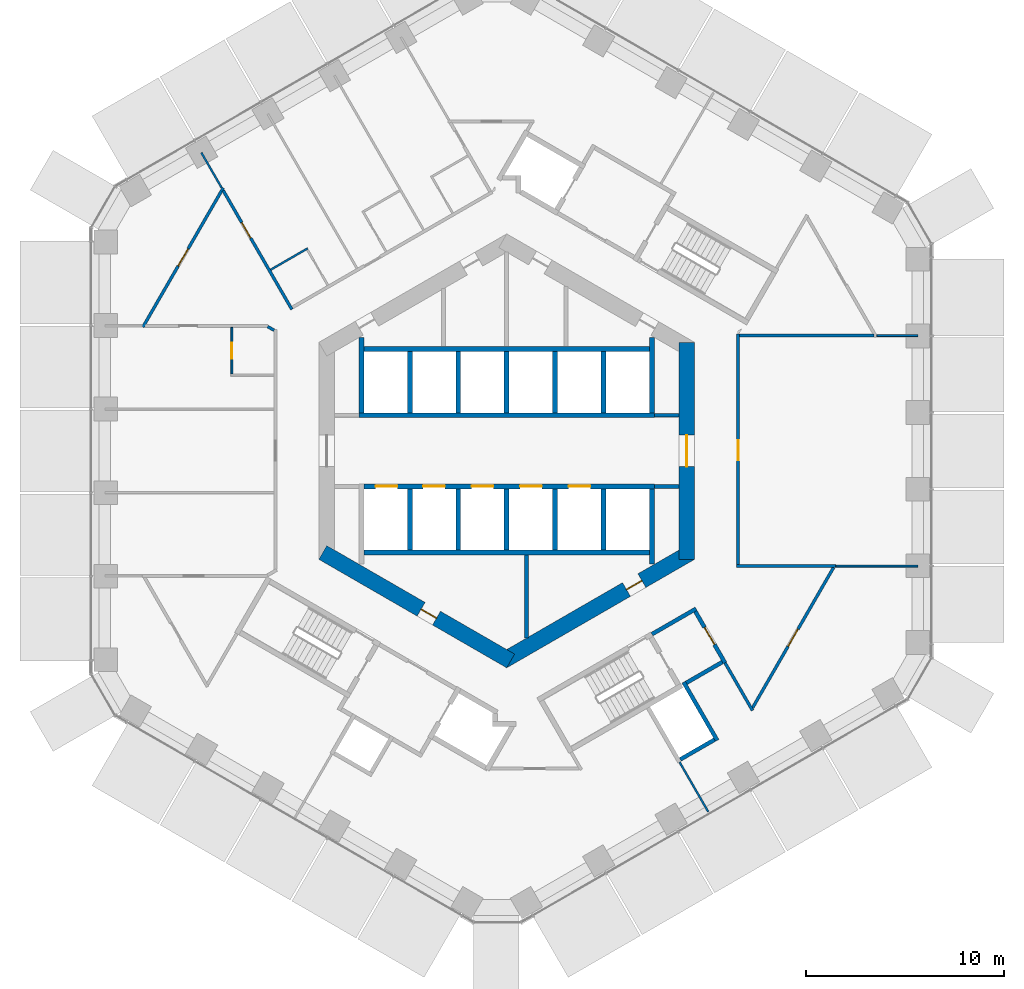
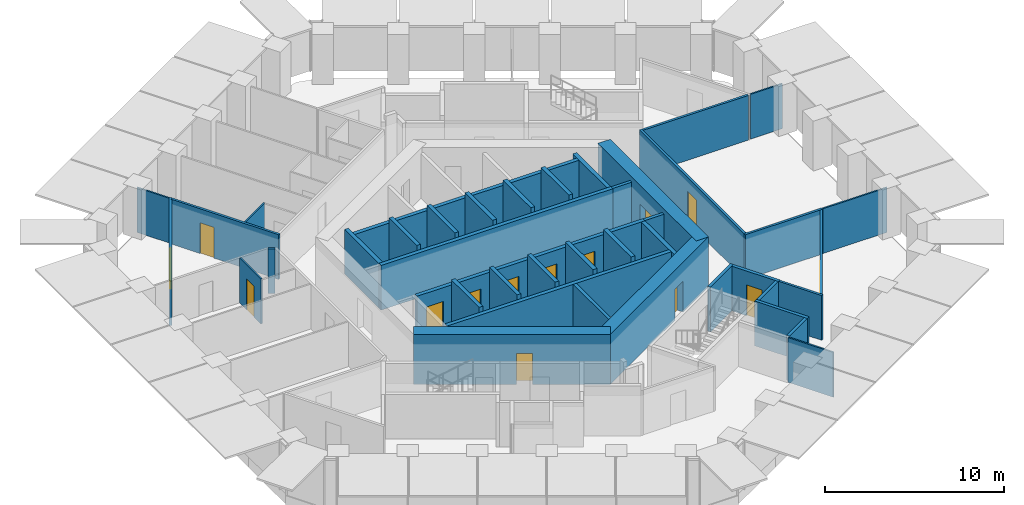
# One storey, part 13 of 19: 42 walls, 14 doors, 14 openings.
"""IFC4 building model written with IfcOpenShell, lengths in metres."""

from ifc_helpers import new_model, si_unit, direction, frame, frame_2d, origin, place, context, subcontext, project, spatial, rectangle, extrude, material, layer, layer_set, type_object, element, fill, save


model = new_model("IFC4")

# Units and contexts
model_context = context("Model", 3, precision=1e-05, world=origin(), true_north=direction((0.0, 1.0)))
body_context = subcontext(model_context, "Body", "Model", "MODEL_VIEW")
ifc_project = project(units=[si_unit("LENGTHUNIT", "METRE"), si_unit("AREAUNIT", "SQUARE_METRE"), si_unit("VOLUMEUNIT", "CUBIC_METRE"), si_unit("PLANEANGLEUNIT", "RADIAN"), si_unit("MASSUNIT", "GRAM", prefix="KILO")], contexts=[model_context])

# Site, building, storey
site_placement = place(None, origin())
site = spatial("IfcSite", under=ifc_project, at=site_placement, CompositionType="ELEMENT")
building_placement = place(site_placement, origin())
building = spatial("IfcBuilding", under=site, at=building_placement, Name="Ayvan Gate Tower", CompositionType="ELEMENT")
storey_placement = place(building_placement, frame((0.0, 0.0, 52.699951171875)))
storey = spatial("IfcBuildingStorey", under=building, at=storey_placement, Name="L13", CompositionType="ELEMENT", Elevation=52.699951171875)

# Wall, opening, door
ifc_material_1 = material(Name="Concrete C70/85", Category="concrete")
ifc_layer_1 = layer(ifc_material_1, 0.800048828125)
ifc_layer_set_1 = layer_set([ifc_layer_1], Name="Concrete C70/85")
wall_type_1 = type_object("IfcWallType", Name="Core wall 800 C70/85", PredefinedType="SHEAR", material=ifc_layer_set_1)
wall_1_placement = place(storey_placement, frame((9.10009765625, -5.48486328125, 0.0), z_axis=(0.0, 0.0, 1.0), x_axis=(0.0, 1.0, 0.0)))
wall_1 = element("IfcWall", 1, at=wall_1_placement, inside=storey, type_object=wall_type_1, Name="CORE-L13-0", PredefinedType="SHEAR", context=body_context, shape_type="SweptSolid", body=[
    extrude(rectangle(XDim=10.9697265625, YDim=0.800048828125, at=frame_2d((5.48486328125, 0.0))), origin(), (0.0, 0.0, 1.0), 3.400146484375),
])
opening_1_placement = place(wall_1_placement, frame((4.684814453125, 0.0, 0.0)))
opening_1 = element("IfcOpeningElement", 2, at=opening_1_placement, cuts=wall_1, Name="Opening L13-D40", PredefinedType="OPENING", context=body_context, shape_type="SweptSolid", body=[
    extrude(rectangle(XDim=1.60009765625, YDim=2.10009765625, at=frame_2d((0.800048828125, 1.050048828125))), frame((0.0, 0.409912109375, 0.0), z_axis=(0.0, -1.0, 0.0), x_axis=(1.0, 0.0, 0.0)), (0.0, 0.0, 1.0), 0.820068359375),
])
ifc_material_2 = material(Name="Timber door leaf", Category="wood")
door_type_1 = type_object("IfcDoorType", Name="DT-1600", OperationType="NOTDEFINED", PredefinedType="DOOR", material=ifc_material_2)
door_1_placement = place(opening_1_placement, origin())
door_1 = element("IfcDoor", 3, at=door_1_placement, inside=storey, type_object=door_type_1, Name="CD-L13-40", OperationType="SINGLE_SWING_LEFT", OverallHeight=2.10009765625, OverallWidth=1.60009765625, PredefinedType="DOOR", context=body_context, shape_type="SweptSolid", body=[
    extrude(rectangle(XDim=1.60009765625, YDim=2.10009765625, at=frame_2d((0.800048828125, 1.050048828125))), frame((0.0, 0.02490234375, 0.0), z_axis=(0.0, -1.0, 0.0), x_axis=(1.0, 0.0, 0.0)), (0.0, 0.0, 1.0), 0.050048828125),
])
fill(opening_1, door_1)

wall_2_placement = place(storey_placement, frame((-9.300048828125, -5.138427734375, 0.0), z_axis=(0.0, 0.0, 1.0), x_axis=(0.866023993627, -0.500002442456, 0.0)))
wall_2 = element("IfcWall", 4, at=wall_2_placement, inside=storey, type_object=wall_type_1, Name="CORE-L13-4", PredefinedType="SHEAR", context=body_context, shape_type="SweptSolid", body=[
    extrude(rectangle(XDim=10.9697265625, YDim=0.800048828125, at=frame_2d((5.48486328125, 0.0))), origin(), (0.0, 0.0, 1.0), 3.400146484375),
])
opening_2_placement = place(wall_2_placement, frame((5.73974609375, 0.0, 0.0)))
opening_2 = element("IfcOpeningElement", 5, at=opening_2_placement, cuts=wall_2, Name="Opening L13-D38", PredefinedType="OPENING", context=body_context, shape_type="SweptSolid", body=[
    extrude(rectangle(XDim=0.89990234375, YDim=2.10009765625, at=frame_2d((0.449951171875, 1.050048828125))), frame((0.0, 0.409912109375, 0.0), z_axis=(0.0, -1.0, 0.0), x_axis=(1.0, 0.0, 0.0)), (0.0, 0.0, 1.0), 0.820068359375),
])
door_type_2 = type_object("IfcDoorType", Name="DT-900", OperationType="NOTDEFINED", PredefinedType="DOOR", material=ifc_material_2)
door_2_placement = place(opening_2_placement, origin())
door_2 = element("IfcDoor", 6, at=door_2_placement, inside=storey, type_object=door_type_2, Name="CD-L13-38", OperationType="SINGLE_SWING_LEFT", OverallHeight=2.10009765625, OverallWidth=0.89990234375, PredefinedType="DOOR", context=body_context, shape_type="SweptSolid", body=[
    extrude(rectangle(XDim=0.89990234375, YDim=2.10009765625, at=frame_2d((0.449951171875, 1.050048828125))), frame((0.0, 0.02490234375, 0.0), z_axis=(0.0, -1.0, 0.0), x_axis=(1.0, 0.0, 0.0)), (0.0, 0.0, 1.0), 0.050048828125),
])
fill(opening_2, door_2)

wall_3_placement = place(storey_placement, frame((-0.199951171875, -10.623291015625, 0.0), z_axis=(0.0, 0.0, 1.0), x_axis=(0.866023993627, 0.500002442456, 0.0)))
wall_3 = element("IfcWall", 7, at=wall_3_placement, inside=storey, type_object=wall_type_1, Name="CORE-L13-5", PredefinedType="SHEAR", context=body_context, shape_type="SweptSolid", body=[
    extrude(rectangle(XDim=10.9697265625, YDim=0.800048828125, at=frame_2d((5.48486328125, 0.0))), origin(), (0.0, 0.0, 1.0), 3.400146484375),
])
opening_3_placement = place(wall_3_placement, frame((7.2236328125, 0.0, 0.0)))
opening_3 = element("IfcOpeningElement", 8, at=opening_3_placement, cuts=wall_3, Name="Opening L13-D39", PredefinedType="OPENING", context=body_context, shape_type="SweptSolid", body=[
    extrude(rectangle(XDim=0.89990234375, YDim=2.10009765625, at=frame_2d((0.449951171875, 1.050048828125))), frame((0.0, 0.409912109375, 0.0), z_axis=(0.0, -1.0, 0.0), x_axis=(1.0, 0.0, 0.0)), (0.0, 0.0, 1.0), 0.820068359375),
])
door_3_placement = place(opening_3_placement, origin())
door_3 = element("IfcDoor", 9, at=door_3_placement, inside=storey, type_object=door_type_2, Name="CD-L13-39", OperationType="SINGLE_SWING_RIGHT", OverallHeight=2.10009765625, OverallWidth=0.89990234375, PredefinedType="DOOR", context=body_context, shape_type="SweptSolid", body=[
    extrude(rectangle(XDim=0.89990234375, YDim=2.10009765625, at=frame_2d((0.449951171875, 1.050048828125))), frame((0.0, 0.02490234375, 0.0), z_axis=(0.0, -1.0, 0.0), x_axis=(1.0, 0.0, 0.0)), (0.0, 0.0, 1.0), 0.050048828125),
])
fill(opening_3, door_3)

ifc_material_3 = material(Name="Plasterboard on steel stud", Category="steel")
ifc_layer_2 = layer(ifc_material_3, 0.14990234375)
ifc_layer_set_2 = layer_set([ifc_layer_2], Name="Plasterboard on steel stud")
wall_type_2 = type_object("IfcWallType", Name="WT-CORR-150", PredefinedType="PARTITIONING", material=ifc_layer_set_2)
wall_4_placement = place(storey_placement, frame((-18.396240234375, 6.26025390625, 0.0), z_axis=(0.0, 0.0, 1.0), x_axis=(0.500005169787, 0.866022418986, 0.0)))
wall_4 = element("IfcWall", 10, at=wall_4_placement, inside=storey, type_object=wall_type_2, Name="IW-L13-002", PredefinedType="PARTITIONING", context=body_context, shape_type="SweptSolid", body=[
    extrude(rectangle(XDim=8.123046875, YDim=0.14990234375, at=frame_2d((4.0615234375, 0.0))), origin(), (0.0, 0.0, 1.0), 3.050048828125),
])
opening_4_placement = place(wall_4_placement, frame((3.561279296875, 0.0, 0.0)))
opening_4 = element("IfcOpeningElement", 11, at=opening_4_placement, cuts=wall_4, Name="Opening L13-D20", PredefinedType="OPENING", context=body_context, shape_type="SweptSolid", body=[
    extrude(rectangle(XDim=1.0, YDim=2.10009765625, at=frame_2d((0.5, 1.050048828125))), frame((0.0, 0.0849609375, 0.0), z_axis=(0.0, -1.0, 0.0), x_axis=(1.0, 0.0, 0.0)), (0.0, 0.0, 1.0), 0.169921875),
])
door_type_3 = type_object("IfcDoorType", Name="DT-1000", OperationType="NOTDEFINED", PredefinedType="DOOR", material=ifc_material_2)
door_4_placement = place(opening_4_placement, origin())
door_4 = element("IfcDoor", 12, at=door_4_placement, inside=storey, type_object=door_type_3, Name="ID-L13-020", OperationType="SINGLE_SWING_LEFT", OverallHeight=2.10009765625, OverallWidth=1.0, PredefinedType="DOOR", context=body_context, shape_type="SweptSolid", body=[
    extrude(rectangle(XDim=1.0, YDim=2.10009765625, at=frame_2d((0.5, 1.050048828125))), frame((0.0, 0.02490234375, 0.0), z_axis=(0.0, -1.0, 0.0), x_axis=(1.0, 0.0, 0.0)), (0.0, 0.0, 1.0), 0.050048828125),
])
fill(opening_4, door_4)

wall_5_placement = place(storey_placement, frame((-14.334716796875, 13.1650390625, 0.0), z_axis=(0.0, 0.0, 1.0), x_axis=(0.499981158809, -0.866036281478, 0.0)))
wall_5 = element("IfcWall", 13, at=wall_5_placement, inside=storey, type_object=wall_type_2, Name="IW-L13-006", PredefinedType="PARTITIONING", context=body_context, shape_type="SweptSolid", body=[
    extrude(rectangle(XDim=6.943603515625, YDim=0.14990234375, at=frame_2d((3.4716796875, 0.0))), origin(), (0.0, 0.0, 1.0), 3.050048828125),
])
opening_5_placement = place(wall_5_placement, frame((1.869384765625, 0.0, 0.0)))
opening_5 = element("IfcOpeningElement", 14, at=opening_5_placement, cuts=wall_5, Name="Opening L13-D32", PredefinedType="OPENING", context=body_context, shape_type="SweptSolid", body=[
    extrude(rectangle(XDim=0.89990234375, YDim=2.10009765625, at=frame_2d((0.449951171875, 1.050048828125))), frame((0.0, 0.0849609375, 0.0), z_axis=(0.0, -1.0, 0.0), x_axis=(1.0, 0.0, 0.0)), (0.0, 0.0, 1.0), 0.169921875),
])
door_5_placement = place(opening_5_placement, origin())
door_5 = element("IfcDoor", 15, at=door_5_placement, inside=storey, type_object=door_type_2, Name="ID-L13-032", OperationType="SINGLE_SWING_LEFT", OverallHeight=2.10009765625, OverallWidth=0.89990234375, PredefinedType="DOOR", context=body_context, shape_type="SweptSolid", body=[
    extrude(rectangle(XDim=0.89990234375, YDim=2.10009765625, at=frame_2d((0.449951171875, 1.050048828125))), frame((0.0, 0.02490234375, 0.0), z_axis=(0.0, -1.0, 0.0), x_axis=(1.0, 0.0, 0.0)), (0.0, 0.0, 1.0), 0.050048828125),
])
fill(opening_5, door_5)

# Walls
wall_6_placement = place(storey_placement, frame((-11.764892578125, 6.099609375, 0.0), z_axis=(0.0, 0.0, 1.0), x_axis=(-0.866239593359, 0.499628829129, 0.0)))
element("IfcWall", 16, at=wall_6_placement, inside=storey, type_object=wall_type_2, Name="IW-L13-017", PredefinedType="PARTITIONING", context=body_context, shape_type="SweptSolid", body=[
    extrude(rectangle(XDim=0.376220703125, YDim=0.14990234375, at=frame_2d((0.18798828125, 0.0))), origin(), (0.0, 0.0, 1.0), 3.050048828125),
])
wall_7_placement = place(storey_placement, frame((11.625, -5.831787109375, 0.0), z_axis=(0.0, 0.0, 1.0), x_axis=(1.0, 0.0, 0.0)))
element("IfcWall", 17, at=wall_7_placement, inside=storey, type_object=wall_type_2, Name="IW-L13-102", PredefinedType="PARTITIONING", context=body_context, shape_type="SweptSolid", body=[
    extrude(rectangle(XDim=5.01513671875, YDim=0.14990234375, at=frame_2d((2.507568359375, 0.0))), origin(), (0.0, 0.0, 1.0), 3.050048828125),
])

# Wall, opening, door
wall_8_placement = place(storey_placement, frame((11.699951171875, 5.90673828125, 0.0), z_axis=(0.0, 0.0, 1.0), x_axis=(0.0, -1.0, 0.0)))
wall_8 = element("IfcWall", 18, at=wall_8_placement, inside=storey, type_object=wall_type_2, Name="IW-L13-103", PredefinedType="PARTITIONING", context=body_context, shape_type="SweptSolid", body=[
    extrude(rectangle(XDim=11.66357421875, YDim=0.14990234375, at=frame_2d((5.831787109375, 0.0))), origin(), (0.0, 0.0, 1.0), 3.050048828125),
])
opening_6_placement = place(wall_8_placement, frame((5.369384765625, 0.0, 0.0)))
opening_6 = element("IfcOpeningElement", 19, at=opening_6_placement, cuts=wall_8, Name="Opening L13-D17", PredefinedType="OPENING", context=body_context, shape_type="SweptSolid", body=[
    extrude(rectangle(XDim=1.0, YDim=2.10009765625, at=frame_2d((0.5, 1.050048828125))), frame((0.0, 0.0849609375, 0.0), z_axis=(0.0, -1.0, 0.0), x_axis=(1.0, 0.0, 0.0)), (0.0, 0.0, 1.0), 0.169921875),
])
door_6_placement = place(opening_6_placement, origin())
door_6 = element("IfcDoor", 20, at=door_6_placement, inside=storey, type_object=door_type_3, Name="ID-L13-017", OperationType="SINGLE_SWING_RIGHT", OverallHeight=2.10009765625, OverallWidth=1.0, PredefinedType="DOOR", context=body_context, shape_type="SweptSolid", body=[
    extrude(rectangle(XDim=1.0, YDim=2.10009765625, at=frame_2d((0.5, 1.050048828125))), frame((0.0, 0.02490234375, 0.0), z_axis=(0.0, -1.0, 0.0), x_axis=(1.0, 0.0, 0.0)), (0.0, 0.0, 1.0), 0.050048828125),
])
fill(opening_6, door_6)

# Wall
wall_9_placement = place(storey_placement, frame((12.428466796875, -13.126708984375, 0.0), z_axis=(0.0, 0.0, 1.0), x_axis=(-0.4999705729, 0.866042392862, 0.0)))
element("IfcWall", 21, at=wall_9_placement, inside=storey, type_object=wall_type_2, Name="IW-L13-105", PredefinedType="PARTITIONING", context=body_context, shape_type="SweptSolid", body=[
    extrude(rectangle(XDim=2.782470703125, YDim=0.14990234375, at=frame_2d((1.39111328125, 0.0))), origin(), (0.0, 0.0, 1.0), 3.050048828125),
])

# Wall, opening, door
wall_10_placement = place(storey_placement, frame((16.527587890625, -5.896728515625, 0.0), z_axis=(0.0, 0.0, 1.0), x_axis=(-0.499988821041, -0.866031857863, 0.0)))
wall_10 = element("IfcWall", 22, at=wall_10_placement, inside=storey, type_object=wall_type_2, Name="IW-L13-109", PredefinedType="PARTITIONING", context=body_context, shape_type="SweptSolid", body=[
    extrude(rectangle(XDim=8.198486328125, YDim=0.14990234375, at=frame_2d((4.09912109375, 0.0))), origin(), (0.0, 0.0, 1.0), 3.050048828125),
])
opening_7_placement = place(wall_10_placement, frame((3.59912109375, 0.0, 0.0)))
opening_7 = element("IfcOpeningElement", 23, at=opening_7_placement, cuts=wall_10, Name="Opening L13-D27", PredefinedType="OPENING", context=body_context, shape_type="SweptSolid", body=[
    extrude(rectangle(XDim=1.0, YDim=2.10009765625, at=frame_2d((0.5, 1.050048828125))), frame((0.0, 0.0849609375, 0.0), z_axis=(0.0, -1.0, 0.0), x_axis=(1.0, 0.0, 0.0)), (0.0, 0.0, 1.0), 0.169921875),
])
door_7_placement = place(opening_7_placement, origin())
door_7 = element("IfcDoor", 24, at=door_7_placement, inside=storey, type_object=door_type_3, Name="ID-L13-027", OperationType="SINGLE_SWING_RIGHT", OverallHeight=2.10009765625, OverallWidth=1.0, PredefinedType="DOOR", context=body_context, shape_type="SweptSolid", body=[
    extrude(rectangle(XDim=1.0, YDim=2.10009765625, at=frame_2d((0.5, 1.050048828125))), frame((0.0, 0.02490234375, 0.0), z_axis=(0.0, -1.0, 0.0), x_axis=(1.0, 0.0, 0.0)), (0.0, 0.0, 1.0), 0.050048828125),
])
fill(opening_7, door_7)

# Walls
wall_11_placement = place(storey_placement, frame((18.568603515625, 5.831787109375, 0.0), z_axis=(0.0, 0.0, 1.0), x_axis=(-1.0, 0.0, 0.0)))
element("IfcWall", 25, at=wall_11_placement, inside=storey, type_object=wall_type_2, Name="IW-L13-111", PredefinedType="PARTITIONING", context=body_context, shape_type="SweptSolid", body=[
    extrude(rectangle(XDim=6.793701171875, YDim=0.14990234375, at=frame_2d((3.39697265625, 0.0))), origin(), (0.0, 0.0, 1.0), 3.050048828125),
])
ifc_layer_3 = layer(ifc_material_3, 0.10009765625)
ifc_layer_set_3 = layer_set([ifc_layer_3], Name="Plasterboard on steel stud")
wall_type_3 = type_object("IfcWallType", Name="WT-PART-100", PredefinedType="PARTITIONING", material=ifc_layer_set_3)
wall_12_placement = place(storey_placement, frame((-15.44287109375, 15.083984375, 0.0), z_axis=(0.0, 0.0, 1.0), x_axis=(0.500015708345, -0.866016334377, 0.0)))
element("IfcWall", 26, at=wall_12_placement, inside=storey, type_object=wall_type_3, Name="IW-L13-004", PredefinedType="PARTITIONING", context=body_context, shape_type="SweptSolid", body=[
    extrude(rectangle(XDim=2.06591796875, YDim=0.10009765625, at=frame_2d((1.032958984375, 0.0))), origin(), (0.0, 0.0, 1.0), 3.050048828125),
])

# Wall, opening, door
wall_13_placement = place(storey_placement, frame((-13.89990234375, 6.250244140625, 0.0), z_axis=(0.0, 0.0, 1.0), x_axis=(0.0, -1.0, 0.0)))
wall_13 = element("IfcWall", 27, at=wall_13_placement, inside=storey, type_object=wall_type_3, Name="IW-L13-008", PredefinedType="PARTITIONING", context=body_context, shape_type="SweptSolid", body=[
    extrude(rectangle(XDim=2.375, YDim=0.10009765625, at=frame_2d((1.1875, 0.0))), origin(), (0.0, 0.0, 1.0), 3.050048828125),
])
opening_8_placement = place(wall_13_placement, frame((0.78759765625, 0.0, 0.0)))
opening_8 = element("IfcOpeningElement", 28, at=opening_8_placement, cuts=wall_13, Name="Opening L13-D22", PredefinedType="OPENING", context=body_context, shape_type="SweptSolid", body=[
    extrude(rectangle(XDim=0.800048828125, YDim=2.10009765625, at=frame_2d((0.39990234375, 1.050048828125))), frame((0.0, 0.06005859375, 0.0), z_axis=(0.0, -1.0, 0.0), x_axis=(1.0, 0.0, 0.0)), (0.0, 0.0, 1.0), 0.1201171875),
])
door_type_4 = type_object("IfcDoorType", Name="DT-800", OperationType="NOTDEFINED", PredefinedType="DOOR", material=ifc_material_2)
door_8_placement = place(opening_8_placement, origin())
door_8 = element("IfcDoor", 29, at=door_8_placement, inside=storey, type_object=door_type_4, Name="ID-L13-022", OperationType="SINGLE_SWING_LEFT", OverallHeight=2.10009765625, OverallWidth=0.800048828125, PredefinedType="DOOR", context=body_context, shape_type="SweptSolid", body=[
    extrude(rectangle(XDim=0.800048828125, YDim=2.10009765625, at=frame_2d((0.39990234375, 1.050048828125))), frame((0.0, 0.02490234375, 0.0), z_axis=(0.0, -1.0, 0.0), x_axis=(1.0, 0.0, 0.0)), (0.0, 0.0, 1.0), 0.050048828125),
])
fill(opening_8, door_8)

# Walls
wall_14_placement = place(storey_placement, frame((-10.0625, 10.24072265625, 0.0), z_axis=(0.0, 0.0, 1.0), x_axis=(-0.865997604128, -0.500048147326, 0.0)))
element("IfcWall", 30, at=wall_14_placement, inside=storey, type_object=wall_type_3, Name="IW-L13-019", PredefinedType="PARTITIONING", context=body_context, shape_type="SweptSolid", body=[
    extrude(rectangle(XDim=2.162841796875, YDim=0.10009765625, at=frame_2d((1.08154296875, 0.0))), origin(), (0.0, 0.0, 1.0), 3.050048828125),
])
wall_15_placement = place(storey_placement, frame((8.739990234375, -15.73828125, 0.0), z_axis=(0.0, 0.0, 1.0), x_axis=(0.500042431503, -0.866000904559, 0.0)))
element("IfcWall", 31, at=wall_15_placement, inside=storey, type_object=wall_type_3, Name="IW-L13-094", PredefinedType="PARTITIONING", context=body_context, shape_type="SweptSolid", body=[
    extrude(rectangle(XDim=2.906005859375, YDim=0.10009765625, at=frame_2d((1.453125, 0.0))), origin(), (0.0, 0.0, 1.0), 3.050048828125),
])
wall_16_placement = place(storey_placement, frame((18.718505859375, 5.831787109375, 0.0), z_axis=(0.0, 0.0, 1.0), x_axis=(1.0, 0.0, 0.0)))
element("IfcWall", 32, at=wall_16_placement, inside=storey, type_object=wall_type_3, Name="IW-L13-110", PredefinedType="PARTITIONING", context=body_context, shape_type="SweptSolid", body=[
    extrude(rectangle(XDim=2.066162109375, YDim=0.10009765625, at=frame_2d((1.033203125, 0.0))), origin(), (0.0, 0.0, 1.0), 3.050048828125),
])
wall_17_placement = place(storey_placement, frame((20.78466796875, -5.831787109375, 0.0), z_axis=(0.0, 0.0, 1.0), x_axis=(-1.0, 0.0, 0.0)))
element("IfcWall", 33, at=wall_17_placement, inside=storey, type_object=wall_type_3, Name="IW-L13-112", PredefinedType="PARTITIONING", context=body_context, shape_type="SweptSolid", body=[
    extrude(rectangle(XDim=4.14453125, YDim=0.10009765625, at=frame_2d((2.072265625, 0.0))), origin(), (0.0, 0.0, 1.0), 3.050048828125),
])
ifc_layer_4 = layer(ifc_material_3, 0.199951171875)
ifc_layer_set_4 = layer_set([ifc_layer_4], Name="Plasterboard on steel stud")
wall_type_4 = type_object("IfcWallType", Name="WT-PLUMB-200", PredefinedType="PLUMBINGWALL", material=ifc_layer_set_4)
wall_18_placement = place(storey_placement, frame((8.9453125, -11.694091796875, 0.0), z_axis=(0.0, 0.0, 1.0), x_axis=(0.500062241894, -0.865989465428, 0.0)))
element("IfcWall", 34, at=wall_18_placement, inside=storey, type_object=wall_type_4, Name="IW-L13-097", PredefinedType="PLUMBINGWALL", context=body_context, shape_type="SweptSolid", body=[
    extrude(rectangle(XDim=3.39990234375, YDim=0.199951171875, at=frame_2d((1.699951171875, 0.0))), origin(), (0.0, 0.0, 1.0), 3.050048828125),
])
wall_19_placement = place(storey_placement, frame((10.5087890625, -14.601806640625, 0.0), z_axis=(0.0, 0.0, 1.0), x_axis=(-0.866010750942, -0.50002537861, 0.0)))
element("IfcWall", 35, at=wall_19_placement, inside=storey, type_object=wall_type_4, Name="IW-L13-100", PredefinedType="PLUMBINGWALL", context=body_context, shape_type="SweptSolid", body=[
    extrude(rectangle(XDim=2.0, YDim=0.199951171875, at=frame_2d((1.0, 0.0))), origin(), (0.0, 0.0, 1.0), 3.050048828125),
])
ifc_layer_5 = layer(ifc_material_3, 0.199951171875)
ifc_layer_set_5 = layer_set([ifc_layer_5], Name="Plasterboard on steel stud")
wall_type_5 = type_object("IfcWallType", Name="WT-RATED-200", PredefinedType="PARTITIONING", material=ifc_layer_set_5)
wall_20_placement = place(storey_placement, frame((1.0, -5.27490234375, 0.0), z_axis=(0.0, 0.0, 1.0), x_axis=(0.0, -1.0, 0.0)))
element("IfcWall", 36, at=wall_20_placement, inside=storey, type_object=wall_type_5, Name="IW-L13-068", PredefinedType="PARTITIONING", context=body_context, shape_type="SweptSolid", body=[
    extrude(rectangle(XDim=4.193603515625, YDim=0.199951171875, at=frame_2d((2.0966796875, 0.0))), origin(), (0.0, 0.0, 1.0), 3.050048828125),
])
wall_21_placement = place(storey_placement, frame((7.343994140625, -9.27001953125, 0.0), z_axis=(0.0, 0.0, 1.0), x_axis=(0.866005588531, 0.500034319456, 0.0)))
element("IfcWall", 37, at=wall_21_placement, inside=storey, type_object=wall_type_5, Name="IW-L13-087", PredefinedType="PARTITIONING", context=body_context, shape_type="SweptSolid", body=[
    extrude(rectangle(XDim=2.574951171875, YDim=0.199951171875, at=frame_2d((1.28759765625, 0.0))), origin(), (0.0, 0.0, 1.0), 3.050048828125),
])
for number, where, z_axis, x_axis, name in (
    (38, (7.474853515625, 1.800048828125, 0.0), (0.0, 0.0, 1.0), (1.0, 0.0, 0.0), "IW-L13-088"),
    (39, (8.699951171875, -1.800048828125, 0.0), (0.0, 0.0, 1.0), (-1.0, 0.0, 0.0), "IW-L13-096"),
):
    element("IfcWall", number, at=place(storey_placement, frame(where, z_axis=z_axis, x_axis=x_axis)), inside=storey, type_object=wall_type_5, Name=name, PredefinedType="PARTITIONING", context=body_context, shape_type="SweptSolid", body=[
        extrude(rectangle(XDim=1.22509765625, YDim=0.199951171875, at=frame_2d((0.612548828125, 0.0))), origin(), (0.0, 0.0, 1.0), 3.050048828125),
    ])

# Wall, opening, door
wall_22_placement = place(storey_placement, frame((9.537353515625, -8.119140625, 0.0), z_axis=(0.0, 0.0, 1.0), x_axis=(0.499990139034, -0.866031096941, 0.0)))
wall_22 = element("IfcWall", 40, at=wall_22_placement, inside=storey, type_object=wall_type_5, Name="IW-L13-099", PredefinedType="PARTITIONING", context=body_context, shape_type="SweptSolid", body=[
    extrude(rectangle(XDim=3.0, YDim=0.199951171875, at=frame_2d((1.5, 0.0))), origin(), (0.0, 0.0, 1.0), 3.050048828125),
])
opening_9_placement = place(wall_22_placement, frame((0.93505859375, 0.0, 0.0)))
opening_9 = element("IfcOpeningElement", 41, at=opening_9_placement, cuts=wall_22, Name="Opening L13-D15", PredefinedType="OPENING", context=body_context, shape_type="SweptSolid", body=[
    extrude(rectangle(XDim=1.0, YDim=2.10009765625, at=frame_2d((0.5, 1.050048828125))), frame((0.0, 0.10986328125, 0.0), z_axis=(0.0, -1.0, 0.0), x_axis=(1.0, 0.0, 0.0)), (0.0, 0.0, 1.0), 0.219970703125),
])
door_9_placement = place(opening_9_placement, origin())
door_9 = element("IfcDoor", 42, at=door_9_placement, inside=storey, type_object=door_type_3, Name="ID-L13-015", OperationType="SINGLE_SWING_RIGHT", OverallHeight=2.10009765625, OverallWidth=1.0, PredefinedType="DOOR", context=body_context, shape_type="SweptSolid", body=[
    extrude(rectangle(XDim=1.0, YDim=2.10009765625, at=frame_2d((0.5, 1.050048828125))), frame((0.0, 0.02490234375, 0.0), z_axis=(0.0, -1.0, 0.0), x_axis=(1.0, 0.0, 0.0)), (0.0, 0.0, 1.0), 0.050048828125),
])
fill(opening_9, door_9)

# Walls
wall_23_placement = place(storey_placement, frame((10.900634765625, -10.6806640625, 0.0), z_axis=(0.0, 0.0, 1.0), x_axis=(-0.866009402589, -0.500027713859, 0.0)))
element("IfcWall", 43, at=wall_23_placement, inside=storey, type_object=wall_type_5, Name="IW-L13-101", PredefinedType="PARTITIONING", context=body_context, shape_type="SweptSolid", body=[
    extrude(rectangle(XDim=2.10009765625, YDim=0.199951171875, at=frame_2d((1.050048828125, 0.0))), origin(), (0.0, 0.0, 1.0), 3.050048828125),
])
ifc_material_4 = material(Name="Concrete C50/60", Category="concrete")
ifc_layer_6 = layer(ifc_material_4, 0.25)
ifc_layer_set_6 = layer_set([ifc_layer_6], Name="Concrete C50/60")
wall_type_6 = type_object("IfcWallType", Name="WT-RC-250", PredefinedType="SHEAR", material=ifc_layer_set_6)
wall_24_placement = place(storey_placement, frame((-7.47509765625, 1.800048828125, 0.0), z_axis=(0.0, 0.0, 1.0), x_axis=(1.0, 0.0, 0.0)))
element("IfcWall", 44, at=wall_24_placement, inside=storey, type_object=wall_type_6, Name="IW-L13-028", PredefinedType="SHEAR", context=body_context, shape_type="SweptSolid", body=[
    extrude(rectangle(XDim=14.9501953125, YDim=0.25, at=frame_2d((7.47509765625, 0.0))), origin(), (0.0, 0.0, 1.0), 3.050048828125),
])
wall_25_placement = place(storey_placement, frame((-7.35009765625, 1.925048828125, 0.0), z_axis=(0.0, 0.0, 1.0), x_axis=(0.0, 1.0, 0.0)))
element("IfcWall", 45, at=wall_25_placement, inside=storey, type_object=wall_type_6, Name="IW-L13-030", PredefinedType="SHEAR", context=body_context, shape_type="SweptSolid", body=[
    extrude(rectangle(XDim=3.80517578125, YDim=0.25, at=frame_2d((1.902587890625, 0.0))), origin(), (0.0, 0.0, 1.0), 3.050048828125),
])
for number, where, z_axis, x_axis, name in (
    (46, (-7.22509765625, 5.14990234375, 0.0), (0.0, 0.0, 1.0), (1.0, 0.0, 0.0), "IW-L13-031"),
    (47, (-7.22509765625, -5.14990234375, 0.0), (0.0, 0.0, 1.0), (1.0, 0.0, 0.0), "IW-L13-041"),
):
    element("IfcWall", number, at=place(storey_placement, frame(where, z_axis=z_axis, x_axis=x_axis)), inside=storey, type_object=wall_type_6, Name=name, PredefinedType="SHEAR", context=body_context, shape_type="SweptSolid", body=[
        extrude(rectangle(XDim=14.7001953125, YDim=0.25, at=frame_2d((7.35009765625, 0.0))), origin(), (0.0, 0.0, 1.0), 3.050048828125),
    ])
for number, where, z_axis, x_axis, name in (
    (48, (-4.89990234375, -1.925048828125, 0.0), (0.0, 0.0, 1.0), (0.0, -1.0, 0.0), "IW-L13-042"),
    (49, (-4.89990234375, 5.02490234375, 0.0), (0.0, 0.0, 1.0), (0.0, -1.0, 0.0), "IW-L13-043"),
):
    element("IfcWall", number, at=place(storey_placement, frame(where, z_axis=z_axis, x_axis=x_axis)), inside=storey, type_object=wall_type_6, Name=name, PredefinedType="SHEAR", context=body_context, shape_type="SweptSolid", body=[
        extrude(rectangle(XDim=3.099853515625, YDim=0.25, at=frame_2d((1.5498046875, 0.0))), origin(), (0.0, 0.0, 1.0), 3.400146484375),
    ])

# Wall, openings, doors
wall_26_placement = place(storey_placement, frame((-7.22509765625, -1.800048828125, 0.0), z_axis=(0.0, 0.0, 1.0), x_axis=(1.0, 0.0, 0.0)))
wall_26 = element("IfcWall", 50, at=wall_26_placement, inside=storey, type_object=wall_type_6, Name="IW-L13-044", PredefinedType="SHEAR", context=body_context, shape_type="SweptSolid", body=[
    extrude(rectangle(XDim=14.7001953125, YDim=0.25, at=frame_2d((7.35009765625, 0.0))), origin(), (0.0, 0.0, 1.0), 3.050048828125),
])
opening_10_placement = place(wall_26_placement, frame((0.597412109375, 0.0, 0.0)))
opening_10 = element("IfcOpeningElement", 51, at=opening_10_placement, cuts=wall_26, Name="Opening L13-LD-LR1", PredefinedType="OPENING", context=body_context, shape_type="SweptSolid", body=[
    extrude(rectangle(XDim=1.10009765625, YDim=2.10009765625, at=frame_2d((0.550048828125, 1.050048828125))), frame((0.0, 0.135009765625, 0.0), z_axis=(0.0, -1.0, 0.0), x_axis=(1.0, 0.0, 0.0)), (0.0, 0.0, 1.0), 0.27001953125),
])
opening_11_placement = place(wall_26_placement, frame((3.0, 0.0, 0.0)))
opening_11 = element("IfcOpeningElement", 52, at=opening_11_placement, cuts=wall_26, Name="Opening L13-LD-LR2", PredefinedType="OPENING", context=body_context, shape_type="SweptSolid", body=[
    extrude(rectangle(XDim=1.10009765625, YDim=2.10009765625, at=frame_2d((0.550048828125, 1.050048828125))), frame((0.0, 0.135009765625, 0.0), z_axis=(0.0, -1.0, 0.0), x_axis=(1.0, 0.0, 0.0)), (0.0, 0.0, 1.0), 0.27001953125),
])
opening_12_placement = place(wall_26_placement, frame((5.4501953125, 0.0, 0.0)))
opening_12 = element("IfcOpeningElement", 53, at=opening_12_placement, cuts=wall_26, Name="Opening L13-LD-LR3", PredefinedType="OPENING", context=body_context, shape_type="SweptSolid", body=[
    extrude(rectangle(XDim=1.10009765625, YDim=2.10009765625, at=frame_2d((0.550048828125, 1.050048828125))), frame((0.0, 0.135009765625, 0.0), z_axis=(0.0, -1.0, 0.0), x_axis=(1.0, 0.0, 0.0)), (0.0, 0.0, 1.0), 0.27001953125),
])
opening_13_placement = place(wall_26_placement, frame((7.900146484375, 0.0, 0.0)))
opening_13 = element("IfcOpeningElement", 54, at=opening_13_placement, cuts=wall_26, Name="Opening L13-LD-LR4", PredefinedType="OPENING", context=body_context, shape_type="SweptSolid", body=[
    extrude(rectangle(XDim=1.10009765625, YDim=2.10009765625, at=frame_2d((0.550048828125, 1.050048828125))), frame((0.0, 0.135009765625, 0.0), z_axis=(0.0, -1.0, 0.0), x_axis=(1.0, 0.0, 0.0)), (0.0, 0.0, 1.0), 0.27001953125),
])
opening_14_placement = place(wall_26_placement, frame((10.35009765625, 0.0, 0.0)))
opening_14 = element("IfcOpeningElement", 55, at=opening_14_placement, cuts=wall_26, Name="Opening L13-LD-SV", PredefinedType="OPENING", context=body_context, shape_type="SweptSolid", body=[
    extrude(rectangle(XDim=1.10009765625, YDim=2.10009765625, at=frame_2d((0.550048828125, 1.050048828125))), frame((0.0, 0.135009765625, 0.0), z_axis=(0.0, -1.0, 0.0), x_axis=(1.0, 0.0, 0.0)), (0.0, 0.0, 1.0), 0.27001953125),
])
ifc_material_5 = material(Name="Stainless steel landing door", Category="steel")
door_type_5 = type_object("IfcDoorType", Name="DT-LANDING-1100", OperationType="SLIDING_TO_LEFT", PredefinedType="DOOR", material=ifc_material_5)
door_10_placement = place(opening_10_placement, origin())
door_10 = element("IfcDoor", 56, at=door_10_placement, inside=storey, type_object=door_type_5, Name="ID-L13-001", OperationType="SLIDING_TO_LEFT", OverallHeight=2.10009765625, OverallWidth=1.10009765625, PredefinedType="DOOR", context=body_context, shape_type="SweptSolid", body=[
    extrude(rectangle(XDim=1.10009765625, YDim=2.10009765625, at=frame_2d((0.550048828125, 1.050048828125))), frame((0.0, 0.02490234375, 0.0), z_axis=(0.0, -1.0, 0.0), x_axis=(1.0, 0.0, 0.0)), (0.0, 0.0, 1.0), 0.050048828125),
])
fill(opening_10, door_10)
door_11_placement = place(opening_11_placement, origin())
door_11 = element("IfcDoor", 57, at=door_11_placement, inside=storey, type_object=door_type_5, Name="ID-L13-002", OperationType="SLIDING_TO_LEFT", OverallHeight=2.10009765625, OverallWidth=1.10009765625, PredefinedType="DOOR", context=body_context, shape_type="SweptSolid", body=[
    extrude(rectangle(XDim=1.10009765625, YDim=2.10009765625, at=frame_2d((0.550048828125, 1.050048828125))), frame((0.0, 0.02490234375, 0.0), z_axis=(0.0, -1.0, 0.0), x_axis=(1.0, 0.0, 0.0)), (0.0, 0.0, 1.0), 0.050048828125),
])
fill(opening_11, door_11)
door_12_placement = place(opening_12_placement, origin())
door_12 = element("IfcDoor", 58, at=door_12_placement, inside=storey, type_object=door_type_5, Name="ID-L13-003", OperationType="SLIDING_TO_LEFT", OverallHeight=2.10009765625, OverallWidth=1.10009765625, PredefinedType="DOOR", context=body_context, shape_type="SweptSolid", body=[
    extrude(rectangle(XDim=1.10009765625, YDim=2.10009765625, at=frame_2d((0.550048828125, 1.050048828125))), frame((0.0, 0.02490234375, 0.0), z_axis=(0.0, -1.0, 0.0), x_axis=(1.0, 0.0, 0.0)), (0.0, 0.0, 1.0), 0.050048828125),
])
fill(opening_12, door_12)
door_13_placement = place(opening_13_placement, origin())
door_13 = element("IfcDoor", 59, at=door_13_placement, inside=storey, type_object=door_type_5, Name="ID-L13-004", OperationType="SLIDING_TO_LEFT", OverallHeight=2.10009765625, OverallWidth=1.10009765625, PredefinedType="DOOR", context=body_context, shape_type="SweptSolid", body=[
    extrude(rectangle(XDim=1.10009765625, YDim=2.10009765625, at=frame_2d((0.550048828125, 1.050048828125))), frame((0.0, 0.02490234375, 0.0), z_axis=(0.0, -1.0, 0.0), x_axis=(1.0, 0.0, 0.0)), (0.0, 0.0, 1.0), 0.050048828125),
])
fill(opening_13, door_13)
door_14_placement = place(opening_14_placement, origin())
door_14 = element("IfcDoor", 60, at=door_14_placement, inside=storey, type_object=door_type_5, Name="ID-L13-005", OperationType="SLIDING_TO_LEFT", OverallHeight=2.10009765625, OverallWidth=1.10009765625, PredefinedType="DOOR", context=body_context, shape_type="SweptSolid", body=[
    extrude(rectangle(XDim=1.10009765625, YDim=2.10009765625, at=frame_2d((0.550048828125, 1.050048828125))), frame((0.0, 0.02490234375, 0.0), z_axis=(0.0, -1.0, 0.0), x_axis=(1.0, 0.0, 0.0)), (0.0, 0.0, 1.0), 0.050048828125),
])
fill(opening_14, door_14)

# Walls
for number, where, z_axis, x_axis, name in (
    (61, (-2.449951171875, -1.925048828125, 0.0), (0.0, 0.0, 1.0), (0.0, -1.0, 0.0), "IW-L13-053"),
    (62, (-2.449951171875, 5.02490234375, 0.0), (0.0, 0.0, 1.0), (0.0, -1.0, 0.0), "IW-L13-054"),
    (63, (0.0, -1.925048828125, 0.0), (0.0, 0.0, 1.0), (0.0, -1.0, 0.0), "IW-L13-061"),
    (64, (0.0, 5.02490234375, 0.0), (0.0, 0.0, 1.0), (0.0, -1.0, 0.0), "IW-L13-062"),
    (65, (2.449951171875, -1.925048828125, 0.0), (0.0, 0.0, 1.0), (0.0, -1.0, 0.0), "IW-L13-071"),
    (66, (2.449951171875, 5.02490234375, 0.0), (0.0, 0.0, 1.0), (0.0, -1.0, 0.0), "IW-L13-072"),
    (67, (4.89990234375, -1.925048828125, 0.0), (0.0, 0.0, 1.0), (0.0, -1.0, 0.0), "IW-L13-081"),
    (68, (4.89990234375, 5.02490234375, 0.0), (0.0, 0.0, 1.0), (0.0, -1.0, 0.0), "IW-L13-082"),
):
    element("IfcWall", number, at=place(storey_placement, frame(where, z_axis=z_axis, x_axis=x_axis)), inside=storey, type_object=wall_type_6, Name=name, PredefinedType="SHEAR", context=body_context, shape_type="SweptSolid", body=[
        extrude(rectangle(XDim=3.099853515625, YDim=0.25, at=frame_2d((1.5498046875, 0.0))), origin(), (0.0, 0.0, 1.0), 3.400146484375),
    ])
for number, where, z_axis, x_axis, name in (
    (69, (7.35009765625, -1.925048828125, 0.0), (0.0, 0.0, 1.0), (0.0, -1.0, 0.0), "IW-L13-089"),
    (70, (7.35009765625, 5.730224609375, 0.0), (0.0, 0.0, 1.0), (0.0, -1.0, 0.0), "IW-L13-090"),
):
    element("IfcWall", number, at=place(storey_placement, frame(where, z_axis=z_axis, x_axis=x_axis)), inside=storey, type_object=wall_type_6, Name=name, PredefinedType="SHEAR", context=body_context, shape_type="SweptSolid", body=[
        extrude(rectangle(XDim=3.80517578125, YDim=0.25, at=frame_2d((1.902587890625, 0.0))), origin(), (0.0, 0.0, 1.0), 3.050048828125),
    ])

save(model, "model.ifc")
